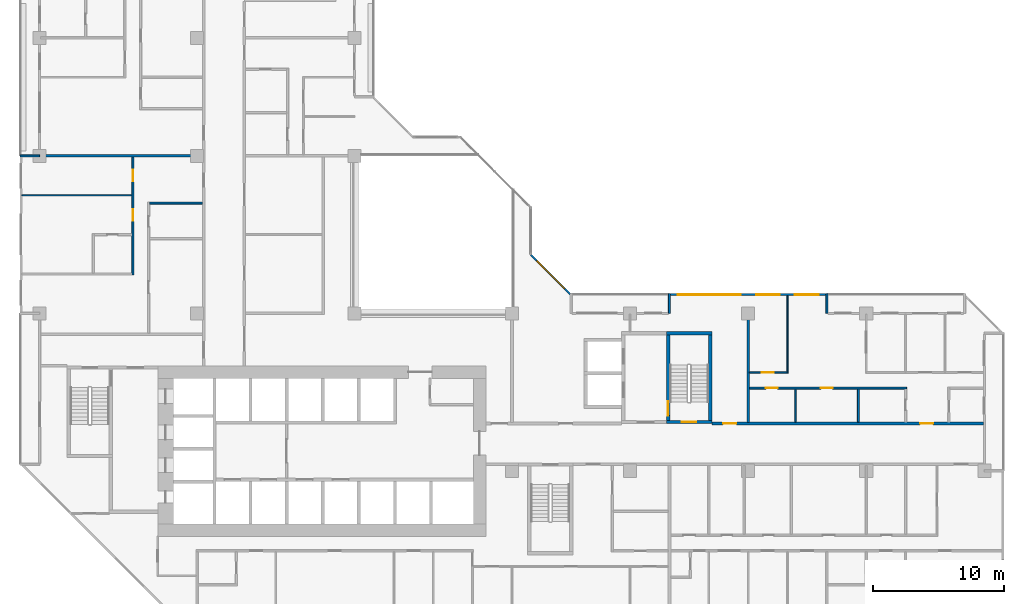
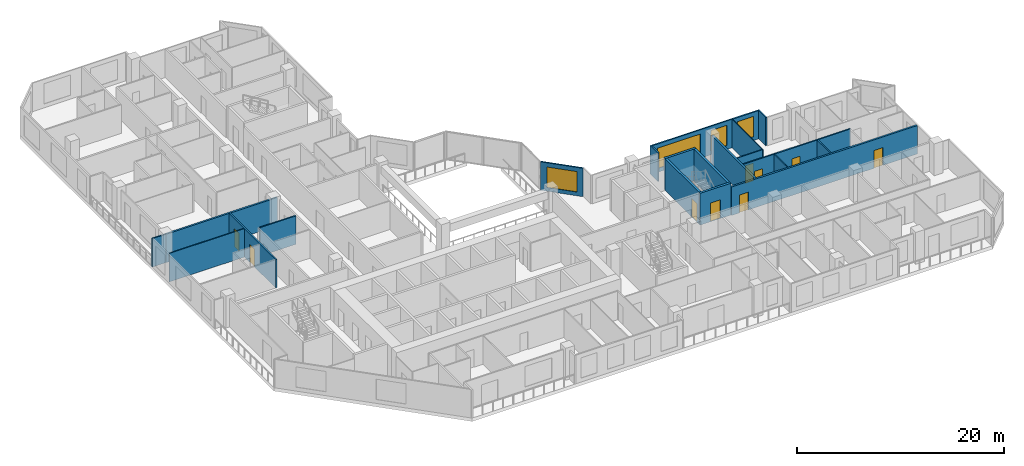
# One storey, part 8 of 15: 20 walls, 9 doors, 4 windows, 13 openings.
"""IFC4 building model written with IfcOpenShell, lengths in metres."""

from ifc_helpers import new_model, si_unit, direction, frame, frame_2d, origin, place, context, subcontext, project, spatial, rectangle, extrude, material, layer, layer_set, type_object, element, fill, save


model = new_model("IFC4")

# Units and contexts
model_context = context("Model", 3, precision=1e-05, world=origin(), true_north=direction((0.0, 1.0)))
body_context = subcontext(model_context, "Body", "Model", "MODEL_VIEW")
ifc_project = project(units=[si_unit("LENGTHUNIT", "METRE"), si_unit("AREAUNIT", "SQUARE_METRE"), si_unit("VOLUMEUNIT", "CUBIC_METRE"), si_unit("PLANEANGLEUNIT", "RADIAN"), si_unit("MASSUNIT", "GRAM", prefix="KILO")], contexts=[model_context])

# Site, building, storey
site_placement = place(None, origin())
site = spatial("IfcSite", under=ifc_project, at=site_placement, CompositionType="ELEMENT")
building_placement = place(site_placement, origin())
building = spatial("IfcBuilding", under=site, at=building_placement, Name="Chenar Terraces", CompositionType="ELEMENT")
storey_placement = place(building_placement, frame((0.0, 0.0, 133.14990234375)))
storey = spatial("IfcBuildingStorey", under=building, at=storey_placement, Name="L31", CompositionType="ELEMENT", Elevation=133.14990234375)

# Wall, opening, door
ifc_material_1 = material(Name="Concrete C70/85", Category="concrete")
ifc_layer_1 = layer(ifc_material_1, 0.25)
ifc_layer_set_1 = layer_set([ifc_layer_1], Name="Concrete C70/85")
wall_type_1 = type_object("IfcWallType", Name="Core wall 250 Concrete C70/85", PredefinedType="SHEAR", material=ifc_layer_set_1)
wall_1_placement = place(storey_placement, frame((47.77490234375, 15.72509765625, 0.0), z_axis=(0.0, 0.0, 1.0), x_axis=(1.0, 0.0, 0.0)))
wall_1 = element("IfcWall", 1, at=wall_1_placement, inside=storey, type_object=wall_type_1, Name="Core wall ST3_S L31", PredefinedType="SHEAR", context=body_context, shape_type="SweptSolid", body=[
    extrude(rectangle(XDim=3.4501953125, YDim=0.25, at=frame_2d((1.72509765625, 0.0))), origin(), (0.0, 0.0, 1.0), 3.75),
])
opening_1_placement = place(wall_1_placement, frame((1.175048828125, 0.0, 0.0)))
opening_1 = element("IfcOpeningElement", 2, at=opening_1_placement, cuts=wall_1, Name="Opening DL31-C8", PredefinedType="OPENING", context=body_context, shape_type="SweptSolid", body=[
    extrude(rectangle(XDim=1.10009765625, YDim=2.199951171875, at=frame_2d((0.550048828125, 1.10009765625))), frame((0.0, 0.135009765625, 0.0), z_axis=(0.0, -1.0, 0.0), x_axis=(1.0, 0.0, 0.0)), (0.0, 0.0, 1.0), 0.27001953125),
])
ifc_material_2 = material(Name="Steel-framed fire-resisting door leaf", Category="steel")
door_type_1 = type_object("IfcDoorType", Name="Stair fire door FD60 1100 x 2200", OperationType="SINGLE_SWING_LEFT", PredefinedType="DOOR", material=ifc_material_2)
door_1_placement = place(opening_1_placement, frame((1.10009765625, 0.0, 0.0), z_axis=(0.0, 0.0, 1.0), x_axis=(-1.0, 0.0, 0.0)))
door_1 = element("IfcDoor", 3, at=door_1_placement, inside=storey, type_object=door_type_1, Name="Stair door DL31-C8", OperationType="SINGLE_SWING_LEFT", OverallHeight=2.199951171875, OverallWidth=1.10009765625, PredefinedType="DOOR", context=body_context, shape_type="SweptSolid", body=[
    extrude(rectangle(XDim=1.10009765625, YDim=2.199951171875, at=frame_2d((0.550048828125, 1.10009765625))), frame((0.0, 0.02490234375, 0.0), z_axis=(0.0, -1.0, 0.0), x_axis=(1.0, 0.0, 0.0)), (0.0, 0.0, 1.0), 0.050048828125),
])
fill(opening_1, door_1)

# Wall
wall_2_placement = place(storey_placement, frame((47.77490234375, 22.47509765625, 0.0), z_axis=(0.0, 0.0, 1.0), x_axis=(1.0, 0.0, 0.0)))
element("IfcWall", 4, at=wall_2_placement, inside=storey, type_object=wall_type_1, Name="Core wall ST3_N L31", PredefinedType="SHEAR", context=body_context, shape_type="SweptSolid", body=[
    extrude(rectangle(XDim=3.4501953125, YDim=0.25, at=frame_2d((1.72509765625, 0.0))), origin(), (0.0, 0.0, 1.0), 3.75),
])

# Wall, opening, door
wall_3_placement = place(storey_placement, frame((47.89990234375, 15.85009765625, 0.0), z_axis=(0.0, 0.0, 1.0), x_axis=(0.0, 1.0, 0.0)))
wall_3 = element("IfcWall", 5, at=wall_3_placement, inside=storey, type_object=wall_type_1, Name="Core wall ST3_W L31", PredefinedType="SHEAR", context=body_context, shape_type="SweptSolid", body=[
    extrude(rectangle(XDim=6.5, YDim=0.25, at=frame_2d((3.25, 0.0))), origin(), (0.0, 0.0, 1.0), 3.75),
])
opening_2_placement = place(wall_3_placement, frame((0.35009765625, 0.0, 0.0)))
opening_2 = element("IfcOpeningElement", 6, at=opening_2_placement, cuts=wall_3, Name="Opening DL31-C11", PredefinedType="OPENING", context=body_context, shape_type="SweptSolid", body=[
    extrude(rectangle(XDim=1.10009765625, YDim=2.199951171875, at=frame_2d((0.550048828125, 1.10009765625))), frame((0.0, 0.135009765625, 0.0), z_axis=(0.0, -1.0, 0.0), x_axis=(1.0, 0.0, 0.0)), (0.0, 0.0, 1.0), 0.27001953125),
])
door_2_placement = place(opening_2_placement, frame((1.10009765625, 0.0, 0.0), z_axis=(0.0, 0.0, 1.0), x_axis=(-1.0, 0.0, 0.0)))
door_2 = element("IfcDoor", 7, at=door_2_placement, inside=storey, type_object=door_type_1, Name="Stair door DL31-C11", OperationType="SINGLE_SWING_RIGHT", OverallHeight=2.199951171875, OverallWidth=1.10009765625, PredefinedType="DOOR", context=body_context, shape_type="SweptSolid", body=[
    extrude(rectangle(XDim=1.10009765625, YDim=2.199951171875, at=frame_2d((0.550048828125, 1.10009765625))), frame((0.0, 0.02490234375, 0.0), z_axis=(0.0, -1.0, 0.0), x_axis=(1.0, 0.0, 0.0)), (0.0, 0.0, 1.0), 0.050048828125),
])
fill(opening_2, door_2)

# Wall
wall_4_placement = place(storey_placement, frame((51.10009765625, 15.85009765625, 0.0), z_axis=(0.0, 0.0, 1.0), x_axis=(0.0, 1.0, 0.0)))
element("IfcWall", 8, at=wall_4_placement, inside=storey, type_object=wall_type_1, Name="Core wall ST3_E L31", PredefinedType="SHEAR", context=body_context, shape_type="SweptSolid", body=[
    extrude(rectangle(XDim=6.5, YDim=0.25, at=frame_2d((3.25, 0.0))), origin(), (0.0, 0.0, 1.0), 3.75),
])

# Wall, openings, doors
ifc_material_3 = material(Name="Gypsum board on steel studs with fire boards", Category="steel")
ifc_layer_2 = layer(ifc_material_3, 0.199951171875)
ifc_layer_set_2 = layer_set([ifc_layer_2], Name="Gypsum board on steel studs with fire boards")
wall_type_2 = type_object("IfcWallType", Name="Corridor wall 200", PredefinedType="PARTITIONING", material=ifc_layer_set_2)
wall_5_placement = place(storey_placement, frame((51.22509765625, 15.60009765625, 0.0), z_axis=(0.0, 0.0, 1.0), x_axis=(1.0, 0.0, 0.0)))
wall_5 = element("IfcWall", 9, at=wall_5_placement, inside=storey, type_object=wall_type_2, Name="Partition L31-079", PredefinedType="PARTITIONING", context=body_context, shape_type="SweptSolid", body=[
    extrude(rectangle(XDim=20.700927734375, YDim=0.199951171875, at=frame_2d((10.3505859375, 0.0))), origin(), (0.0, 0.0, 1.0), 3.35009765625),
])
opening_3_placement = place(wall_5_placement, frame((15.875, 0.0, 0.0)))
opening_3 = element("IfcOpeningElement", 10, at=opening_3_placement, cuts=wall_5, Name="Opening DL31-9", PredefinedType="OPENING", context=body_context, shape_type="SweptSolid", body=[
    extrude(rectangle(XDim=1.0, YDim=2.10009765625, at=frame_2d((0.5, 1.050048828125))), frame((0.0, 0.10986328125, 0.0), z_axis=(0.0, -1.0, 0.0), x_axis=(1.0, 0.0, 0.0)), (0.0, 0.0, 1.0), 0.219970703125),
])
opening_4_placement = place(wall_5_placement, frame((0.875, 0.0, 0.0)))
opening_4 = element("IfcOpeningElement", 11, at=opening_4_placement, cuts=wall_5, Name="Opening DL31-53", PredefinedType="OPENING", context=body_context, shape_type="SweptSolid", body=[
    extrude(rectangle(XDim=1.0, YDim=2.10009765625, at=frame_2d((0.5, 1.050048828125))), frame((0.0, 0.10986328125, 0.0), z_axis=(0.0, -1.0, 0.0), x_axis=(1.0, 0.0, 0.0)), (0.0, 0.0, 1.0), 0.219970703125),
])
ifc_material_4 = material(Name="Steel-framed fire-resisting door leaf", Category="steel")
door_type_2 = type_object("IfcDoorType", Name="Fire door FD30S 1000 x 2100", OperationType="SINGLE_SWING_LEFT", PredefinedType="DOOR", material=ifc_material_4)
door_3_placement = place(opening_3_placement, origin())
door_3 = element("IfcDoor", 12, at=door_3_placement, inside=storey, type_object=door_type_2, Name="Door DL31-9", OperationType="SINGLE_SWING_LEFT", OverallHeight=2.10009765625, OverallWidth=1.0, PredefinedType="DOOR", context=body_context, shape_type="SweptSolid", body=[
    extrude(rectangle(XDim=1.0, YDim=2.10009765625, at=frame_2d((0.5, 1.050048828125))), frame((0.0, 0.02490234375, 0.0), z_axis=(0.0, -1.0, 0.0), x_axis=(1.0, 0.0, 0.0)), (0.0, 0.0, 1.0), 0.050048828125),
])
fill(opening_3, door_3)
door_4_placement = place(opening_4_placement, origin())
door_4 = element("IfcDoor", 13, at=door_4_placement, inside=storey, type_object=door_type_2, Name="Door DL31-53", OperationType="SINGLE_SWING_RIGHT", OverallHeight=2.10009765625, OverallWidth=1.0, PredefinedType="DOOR", context=body_context, shape_type="SweptSolid", body=[
    extrude(rectangle(XDim=1.0, YDim=2.10009765625, at=frame_2d((0.5, 1.050048828125))), frame((0.0, 0.02490234375, 0.0), z_axis=(0.0, -1.0, 0.0), x_axis=(1.0, 0.0, 0.0)), (0.0, 0.0, 1.0), 0.050048828125),
])
fill(opening_4, door_4)

# Wall, openings, windows
ifc_material_5 = material(Name="Aluminium framed glazing", Category="aluminium")
ifc_layer_3 = layer(ifc_material_5, 0.14990234375)
ifc_layer_set_3 = layer_set([ifc_layer_3], Name="Aluminium framed glazing")
wall_type_3 = type_object("IfcWallType", Name="Glazed flush facade wall 150", PredefinedType="SOLIDWALL", material=ifc_layer_set_3)
wall_6_placement = place(storey_placement, frame((59.925048828125, 25.425048828125, 0.0), z_axis=(0.0, 0.0, 1.0), x_axis=(-1.0, 0.0, 0.0)))
wall_6 = element("IfcWall", 14, at=wall_6_placement, inside=storey, type_object=wall_type_3, Name="Glazed flush facade wall", PredefinedType="SOLIDWALL", context=body_context, shape_type="SweptSolid", body=[
    extrude(rectangle(XDim=11.85009765625, YDim=0.14990234375, at=frame_2d((5.925048828125, 0.0))), origin(), (0.0, 0.0, 1.0), 3.35009765625),
])
opening_5_placement = place(wall_6_placement, frame((0.5625, 0.0, 0.449951171875)))
opening_5 = element("IfcOpeningElement", 15, at=opening_5_placement, cuts=wall_6, Name="Opening W180x240", PredefinedType="OPENING", context=body_context, shape_type="SweptSolid", body=[
    extrude(rectangle(XDim=1.800048828125, YDim=2.39990234375, at=frame_2d((0.89990234375, 1.199951171875))), frame((0.0, 0.0849609375, 0.0), z_axis=(0.0, -1.0, 0.0), x_axis=(1.0, 0.0, 0.0)), (0.0, 0.0, 1.0), 0.169921875),
])
opening_6_placement = place(wall_6_placement, frame((3.52490234375, 0.0, 0.449951171875)))
opening_6 = element("IfcOpeningElement", 16, at=opening_6_placement, cuts=wall_6, Name="Opening W180x240", PredefinedType="OPENING", context=body_context, shape_type="SweptSolid", body=[
    extrude(rectangle(XDim=1.800048828125, YDim=2.39990234375, at=frame_2d((0.89990234375, 1.199951171875))), frame((0.0, 0.0849609375, 0.0), z_axis=(0.0, -1.0, 0.0), x_axis=(1.0, 0.0, 0.0)), (0.0, 0.0, 1.0), 0.169921875),
])
opening_7_placement = place(wall_6_placement, frame((6.487548828125, 0.0, 0.449951171875)))
opening_7 = element("IfcOpeningElement", 17, at=opening_7_placement, cuts=wall_6, Name="Opening W480x240", PredefinedType="OPENING", context=body_context, shape_type="SweptSolid", body=[
    extrude(rectangle(XDim=4.800048828125, YDim=2.39990234375, at=frame_2d((2.39990234375, 1.199951171875))), frame((0.0, 0.0849609375, 0.0), z_axis=(0.0, -1.0, 0.0), x_axis=(1.0, 0.0, 0.0)), (0.0, 0.0, 1.0), 0.169921875),
])
ifc_material_6 = material(Name="Low emissivity double glazing, aluminium frame", Category="aluminium")
window_type_1 = type_object("IfcWindowType", Name="Fixed light 1800 x 2400", PartitioningType="SINGLE_PANEL", PredefinedType="WINDOW", material=ifc_material_6)
window_1_placement = place(opening_5_placement, origin())
window_1 = element("IfcWindow", 18, at=window_1_placement, inside=storey, type_object=window_type_1, Name="Window", OverallHeight=2.39990234375, OverallWidth=1.800048828125, PartitioningType="SINGLE_PANEL", PredefinedType="WINDOW", context=body_context, shape_type="SweptSolid", body=[
    extrude(rectangle(XDim=1.800048828125, YDim=2.39990234375, at=frame_2d((0.89990234375, 1.199951171875))), frame((0.0, 0.030029296875, 0.0), z_axis=(0.0, -1.0, 0.0), x_axis=(1.0, 0.0, 0.0)), (0.0, 0.0, 1.0), 0.06005859375),
])
fill(opening_5, window_1)
window_2_placement = place(opening_6_placement, origin())
window_2 = element("IfcWindow", 19, at=window_2_placement, inside=storey, type_object=window_type_1, Name="Window", OverallHeight=2.39990234375, OverallWidth=1.800048828125, PartitioningType="SINGLE_PANEL", PredefinedType="WINDOW", context=body_context, shape_type="SweptSolid", body=[
    extrude(rectangle(XDim=1.800048828125, YDim=2.39990234375, at=frame_2d((0.89990234375, 1.199951171875))), frame((0.0, 0.030029296875, 0.0), z_axis=(0.0, -1.0, 0.0), x_axis=(1.0, 0.0, 0.0)), (0.0, 0.0, 1.0), 0.06005859375),
])
fill(opening_6, window_2)
ifc_material_7 = material(Name="Low emissivity double glazing, aluminium frame", Category="aluminium")
window_type_2 = type_object("IfcWindowType", Name="Fixed light 4800 x 2400", PartitioningType="SINGLE_PANEL", PredefinedType="WINDOW", material=ifc_material_7)
window_3_placement = place(opening_7_placement, origin())
window_3 = element("IfcWindow", 20, at=window_3_placement, inside=storey, type_object=window_type_2, Name="Window", OverallHeight=2.39990234375, OverallWidth=4.800048828125, PartitioningType="SINGLE_PANEL", PredefinedType="WINDOW", context=body_context, shape_type="SweptSolid", body=[
    extrude(rectangle(XDim=4.800048828125, YDim=2.39990234375, at=frame_2d((2.39990234375, 1.199951171875))), frame((0.0, 0.030029296875, 0.0), z_axis=(0.0, -1.0, 0.0), x_axis=(1.0, 0.0, 0.0)), (0.0, 0.0, 1.0), 0.06005859375),
])
fill(opening_7, window_3)

# Wall
ifc_material_8 = material(Name="Gypsum board on steel studs", Category="steel")
ifc_layer_4 = layer(ifc_material_8, 0.10009765625)
ifc_layer_set_4 = layer_set([ifc_layer_4], Name="Gypsum board on steel studs")
wall_type_4 = type_object("IfcWallType", Name="Gypsum partition 100", PredefinedType="PARTITIONING", material=ifc_layer_set_4)
wall_7_placement = place(storey_placement, frame((-1.35107421875, 33.0, 0.0), z_axis=(0.0, 0.0, 1.0), x_axis=(1.0, 0.0, 0.0)))
element("IfcWall", 21, at=wall_7_placement, inside=storey, type_object=wall_type_4, Name="Partition L31-001", PredefinedType="PARTITIONING", context=body_context, shape_type="SweptSolid", body=[
    extrude(rectangle(XDim=8.3759765625, YDim=0.10009765625, at=frame_2d((4.18798828125, 0.0))), origin(), (0.0, 0.0, 1.0), 3.35009765625),
])

# Wall, opening, door
wall_8_placement = place(storey_placement, frame((54.10009765625, 19.5, 0.0), z_axis=(0.0, 0.0, 1.0), x_axis=(1.0, 0.0, 0.0)))
wall_8 = element("IfcWall", 22, at=wall_8_placement, inside=storey, type_object=wall_type_4, Name="Partition L31-084", PredefinedType="PARTITIONING", context=body_context, shape_type="SweptSolid", body=[
    extrude(rectangle(XDim=2.849853515625, YDim=0.10009765625, at=frame_2d((1.4248046875, 0.0))), origin(), (0.0, 0.0, 1.0), 3.35009765625),
])
opening_8_placement = place(wall_8_placement, frame((0.949951171875, 0.0, 0.0)))
opening_8 = element("IfcOpeningElement", 23, at=opening_8_placement, cuts=wall_8, Name="Opening DL31-12", PredefinedType="OPENING", context=body_context, shape_type="SweptSolid", body=[
    extrude(rectangle(XDim=0.89990234375, YDim=2.10009765625, at=frame_2d((0.449951171875, 1.050048828125))), frame((0.0, 0.06005859375, 0.0), z_axis=(0.0, -1.0, 0.0), x_axis=(1.0, 0.0, 0.0)), (0.0, 0.0, 1.0), 0.1201171875),
])
ifc_material_9 = material(Name="Veneered timber door leaf", Category="wood")
door_type_3 = type_object("IfcDoorType", Name="Door 900 x 2100", OperationType="SINGLE_SWING_LEFT", PredefinedType="DOOR", material=ifc_material_9)
door_5_placement = place(opening_8_placement, origin())
door_5 = element("IfcDoor", 24, at=door_5_placement, inside=storey, type_object=door_type_3, Name="Door DL31-12", OperationType="SINGLE_SWING_RIGHT", OverallHeight=2.10009765625, OverallWidth=0.89990234375, PredefinedType="DOOR", context=body_context, shape_type="SweptSolid", body=[
    extrude(rectangle(XDim=0.89990234375, YDim=2.10009765625, at=frame_2d((0.449951171875, 1.050048828125))), frame((0.0, 0.02490234375, 0.0), z_axis=(0.0, -1.0, 0.0), x_axis=(1.0, 0.0, 0.0)), (0.0, 0.0, 1.0), 0.050048828125),
])
fill(opening_8, door_5)

# Walls
wall_9_placement = place(storey_placement, frame((57.0, 19.449951171875, 0.0), z_axis=(0.0, 0.0, 1.0), x_axis=(0.0, 1.0, 0.0)))
element("IfcWall", 25, at=wall_9_placement, inside=storey, type_object=wall_type_4, Name="Partition L31-086", PredefinedType="PARTITIONING", context=body_context, shape_type="SweptSolid", body=[
    extrude(rectangle(XDim=5.900146484375, YDim=0.10009765625, at=frame_2d((2.9501953125, 0.0))), origin(), (0.0, 0.0, 1.0), 3.35009765625),
])
wall_10_placement = place(storey_placement, frame((57.60009765625, 15.699951171875, 0.0), z_axis=(0.0, 0.0, 1.0), x_axis=(0.0, 1.0, 0.0)))
element("IfcWall", 26, at=wall_10_placement, inside=storey, type_object=wall_type_4, Name="Partition L31-088", PredefinedType="PARTITIONING", context=body_context, shape_type="SweptSolid", body=[
    extrude(rectangle(XDim=2.525146484375, YDim=0.10009765625, at=frame_2d((1.2626953125, 0.0))), origin(), (0.0, 0.0, 1.0), 3.35009765625),
])
ifc_material_10 = material(Name="Terracotta cladding on insulated backing", Category="masonry")
ifc_layer_5 = layer(ifc_material_10, 0.14990234375)
ifc_layer_set_5 = layer_set([ifc_layer_5], Name="Terracotta cladding on insulated backing")
wall_type_5 = type_object("IfcWallType", Name="Loggia return wall 150", PredefinedType="SOLIDWALL", material=ifc_layer_set_5)
for number, where, z_axis, x_axis, name in (
    (27, (60.0, 25.5, 0.0), (0.0, 0.0, 1.0), (0.0, -1.0, 0.0), "Loggia return wall"),
    (28, (48.0, 25.5, 0.0), (0.0, 0.0, 1.0), (0.0, -1.0, 0.0), "Loggia return wall"),
    (29, (-1.5, 36.0, 0.0), (0.0, 0.0, 1.0), (1.0, 0.0, 0.0), "Loggia return wall"),
):
    element("IfcWall", number, at=place(storey_placement, frame(where, z_axis=z_axis, x_axis=x_axis)), inside=storey, type_object=wall_type_5, Name=name, PredefinedType="SOLIDWALL", context=body_context, shape_type="SweptSolid", body=[
        extrude(rectangle(XDim=1.5, YDim=0.14990234375, at=frame_2d((0.75, 0.0))), origin(), (0.0, 0.0, 1.0), 3.35009765625),
    ])

# Wall, opening, window
ifc_material_11 = material(Name="Terracotta cladding on insulated backing", Category="masonry")
ifc_layer_6 = layer(ifc_material_11, 0.14990234375)
ifc_layer_set_6 = layer_set([ifc_layer_6], Name="Terracotta cladding on insulated backing")
wall_type_6 = type_object("IfcWallType", Name="Terracotta rainscreen wall 150", PredefinedType="SOLIDWALL", material=ifc_layer_set_6)
wall_11_placement = place(storey_placement, frame((40.447021484375, 25.447021484375, 0.0), z_axis=(0.0, 0.0, 1.0), x_axis=(-0.707106781187, 0.707106781187, 0.0)))
wall_11 = element("IfcWall", 30, at=wall_11_placement, inside=storey, type_object=wall_type_6, Name="Terracotta rainscreen wall", PredefinedType="SOLIDWALL", context=body_context, shape_type="SweptSolid", body=[
    extrude(rectangle(XDim=4.24267578125, YDim=0.14990234375, at=frame_2d((2.121337890625, 0.0))), origin(), (0.0, 0.0, 1.0), 3.35009765625),
])
opening_9_placement = place(wall_11_placement, frame((0.621337890625, 0.0, 0.449951171875)))
opening_9 = element("IfcOpeningElement", 31, at=opening_9_placement, cuts=wall_11, Name="Opening W300x240", PredefinedType="OPENING", context=body_context, shape_type="SweptSolid", body=[
    extrude(rectangle(XDim=3.0, YDim=2.39990234375, at=frame_2d((1.5, 1.199951171875))), frame((0.0, 0.0849609375, 0.0), z_axis=(0.0, -1.0, 0.0), x_axis=(1.0, 0.0, 0.0)), (0.0, 0.0, 1.0), 0.169921875),
])
ifc_material_12 = material(Name="Low emissivity double glazing, aluminium frame", Category="aluminium")
window_type_3 = type_object("IfcWindowType", Name="Fixed light 3000 x 2400", PartitioningType="SINGLE_PANEL", PredefinedType="WINDOW", material=ifc_material_12)
window_4_placement = place(opening_9_placement, origin())
window_4 = element("IfcWindow", 32, at=window_4_placement, inside=storey, type_object=window_type_3, Name="Window", OverallHeight=2.39990234375, OverallWidth=3.0, PartitioningType="SINGLE_PANEL", PredefinedType="WINDOW", context=body_context, shape_type="SweptSolid", body=[
    extrude(rectangle(XDim=3.0, YDim=2.39990234375, at=frame_2d((1.5, 1.199951171875))), frame((0.0, 0.030029296875, 0.0), z_axis=(0.0, -1.0, 0.0), x_axis=(1.0, 0.0, 0.0)), (0.0, 0.0, 1.0), 0.06005859375),
])
fill(opening_9, window_4)

# Walls
ifc_material_13 = material(Name="Twin gypsum board on steel studs with mineral wool", Category="steel")
ifc_layer_7 = layer(ifc_material_13, 0.199951171875)
ifc_layer_set_7 = layer_set([ifc_layer_7], Name="Twin gypsum board on steel studs with mineral wool")
wall_type_7 = type_object("IfcWallType", Name="Unit demising wall 200", PredefinedType="PARTITIONING", material=ifc_layer_set_7)
wall_12_placement = place(storey_placement, frame((0.0, 36.0, 0.0), z_axis=(0.0, 0.0, 1.0), x_axis=(1.0, 0.0, 0.0)))
element("IfcWall", 33, at=wall_12_placement, inside=storey, type_object=wall_type_7, Name="Partition L31-003", PredefinedType="PARTITIONING", context=body_context, shape_type="SweptSolid", body=[
    extrude(rectangle(XDim=12.39990234375, YDim=0.199951171875, at=frame_2d((6.199951171875, 0.0))), origin(), (0.0, 0.0, 1.0), 3.35009765625),
])
wall_13_placement = place(storey_placement, frame((54.0, 15.699951171875, 0.0), z_axis=(0.0, 0.0, 1.0), x_axis=(0.0, 1.0, 0.0)))
element("IfcWall", 34, at=wall_13_placement, inside=storey, type_object=wall_type_7, Name="Partition L31-082", PredefinedType="PARTITIONING", context=body_context, shape_type="SweptSolid", body=[
    extrude(rectangle(XDim=8.300048828125, YDim=0.199951171875, at=frame_2d((4.14990234375, 0.0))), origin(), (0.0, 0.0, 1.0), 3.35009765625),
])

# Wall, openings, doors
ifc_material_14 = material(Name="Moisture-resistant gypsum board on steel studs", Category="steel")
ifc_layer_8 = layer(ifc_material_14, 0.14990234375)
ifc_layer_set_8 = layer_set([ifc_layer_8], Name="Moisture-resistant gypsum board on steel studs")
wall_type_8 = type_object("IfcWallType", Name="Wet-room partition 150", PredefinedType="PARTITIONING", material=ifc_layer_set_8)
wall_14_placement = place(storey_placement, frame((7.10009765625, 26.925048828125, 0.0), z_axis=(0.0, 0.0, 1.0), x_axis=(0.0, 1.0, 0.0)))
wall_14 = element("IfcWall", 35, at=wall_14_placement, inside=storey, type_object=wall_type_8, Name="Partition L31-018", PredefinedType="PARTITIONING", context=body_context, shape_type="SweptSolid", body=[
    extrude(rectangle(XDim=8.974853515625, YDim=0.14990234375, at=frame_2d((4.4873046875, 0.0))), origin(), (0.0, 0.0, 1.0), 3.35009765625),
])
opening_10_placement = place(wall_14_placement, frame((7.125, 0.0, 0.0)))
opening_10 = element("IfcOpeningElement", 36, at=opening_10_placement, cuts=wall_14, Name="Opening DL31-69", PredefinedType="OPENING", context=body_context, shape_type="SweptSolid", body=[
    extrude(rectangle(XDim=0.89990234375, YDim=2.10009765625, at=frame_2d((0.449951171875, 1.050048828125))), frame((0.0, 0.0849609375, 0.0), z_axis=(0.0, -1.0, 0.0), x_axis=(1.0, 0.0, 0.0)), (0.0, 0.0, 1.0), 0.169921875),
])
opening_11_placement = place(wall_14_placement, frame((4.125, 0.0, 0.0)))
opening_11 = element("IfcOpeningElement", 37, at=opening_11_placement, cuts=wall_14, Name="Opening DL31-70", PredefinedType="OPENING", context=body_context, shape_type="SweptSolid", body=[
    extrude(rectangle(XDim=0.89990234375, YDim=2.10009765625, at=frame_2d((0.449951171875, 1.050048828125))), frame((0.0, 0.0849609375, 0.0), z_axis=(0.0, -1.0, 0.0), x_axis=(1.0, 0.0, 0.0)), (0.0, 0.0, 1.0), 0.169921875),
])
door_6_placement = place(opening_10_placement, origin())
door_6 = element("IfcDoor", 38, at=door_6_placement, inside=storey, type_object=door_type_3, Name="Door DL31-69", OperationType="SINGLE_SWING_RIGHT", OverallHeight=2.10009765625, OverallWidth=0.89990234375, PredefinedType="DOOR", context=body_context, shape_type="SweptSolid", body=[
    extrude(rectangle(XDim=0.89990234375, YDim=2.10009765625, at=frame_2d((0.449951171875, 1.050048828125))), frame((0.0, 0.02490234375, 0.0), z_axis=(0.0, -1.0, 0.0), x_axis=(1.0, 0.0, 0.0)), (0.0, 0.0, 1.0), 0.050048828125),
])
fill(opening_10, door_6)
door_7_placement = place(opening_11_placement, origin())
door_7 = element("IfcDoor", 39, at=door_7_placement, inside=storey, type_object=door_type_3, Name="Door DL31-70", OperationType="SINGLE_SWING_LEFT", OverallHeight=2.10009765625, OverallWidth=0.89990234375, PredefinedType="DOOR", context=body_context, shape_type="SweptSolid", body=[
    extrude(rectangle(XDim=0.89990234375, YDim=2.10009765625, at=frame_2d((0.449951171875, 1.050048828125))), frame((0.0, 0.02490234375, 0.0), z_axis=(0.0, -1.0, 0.0), x_axis=(1.0, 0.0, 0.0)), (0.0, 0.0, 1.0), 0.050048828125),
])
fill(opening_11, door_7)

# Wall
wall_15_placement = place(storey_placement, frame((8.375, 32.39990234375, 0.0), z_axis=(0.0, 0.0, 1.0), x_axis=(1.0, 0.0, 0.0)))
element("IfcWall", 40, at=wall_15_placement, inside=storey, type_object=wall_type_8, Name="Partition L31-027", PredefinedType="PARTITIONING", context=body_context, shape_type="SweptSolid", body=[
    extrude(rectangle(XDim=4.02490234375, YDim=0.14990234375, at=frame_2d((2.012451171875, 0.0))), origin(), (0.0, 0.0, 1.0), 3.35009765625),
])

# Wall, openings, doors
wall_16_placement = place(storey_placement, frame((54.10009765625, 18.300048828125, 0.0), z_axis=(0.0, 0.0, 1.0), x_axis=(1.0, 0.0, 0.0)))
wall_16 = element("IfcWall", 41, at=wall_16_placement, inside=storey, type_object=wall_type_8, Name="Partition L31-083", PredefinedType="PARTITIONING", context=body_context, shape_type="SweptSolid", body=[
    extrude(rectangle(XDim=11.974853515625, YDim=0.14990234375, at=frame_2d((5.9873046875, 0.0))), origin(), (0.0, 0.0, 1.0), 3.35009765625),
])
opening_12_placement = place(wall_16_placement, frame((5.449951171875, 0.0, 0.0)))
opening_12 = element("IfcOpeningElement", 42, at=opening_12_placement, cuts=wall_16, Name="Opening DL31-7", PredefinedType="OPENING", context=body_context, shape_type="SweptSolid", body=[
    extrude(rectangle(XDim=0.89990234375, YDim=2.10009765625, at=frame_2d((0.449951171875, 1.050048828125))), frame((0.0, 0.0849609375, 0.0), z_axis=(0.0, -1.0, 0.0), x_axis=(1.0, 0.0, 0.0)), (0.0, 0.0, 1.0), 0.169921875),
])
opening_13_placement = place(wall_16_placement, frame((1.25, 0.0, 0.0)))
opening_13 = element("IfcOpeningElement", 43, at=opening_13_placement, cuts=wall_16, Name="Opening DL31-11", PredefinedType="OPENING", context=body_context, shape_type="SweptSolid", body=[
    extrude(rectangle(XDim=0.89990234375, YDim=2.10009765625, at=frame_2d((0.449951171875, 1.050048828125))), frame((0.0, 0.0849609375, 0.0), z_axis=(0.0, -1.0, 0.0), x_axis=(1.0, 0.0, 0.0)), (0.0, 0.0, 1.0), 0.169921875),
])
door_8_placement = place(opening_12_placement, frame((0.89990234375, 0.0, 0.0), z_axis=(0.0, 0.0, 1.0), x_axis=(-1.0, 0.0, 0.0)))
door_8 = element("IfcDoor", 44, at=door_8_placement, inside=storey, type_object=door_type_3, Name="Door DL31-7", OperationType="SINGLE_SWING_LEFT", OverallHeight=2.10009765625, OverallWidth=0.89990234375, PredefinedType="DOOR", context=body_context, shape_type="SweptSolid", body=[
    extrude(rectangle(XDim=0.89990234375, YDim=2.10009765625, at=frame_2d((0.449951171875, 1.050048828125))), frame((0.0, 0.02490234375, 0.0), z_axis=(0.0, -1.0, 0.0), x_axis=(1.0, 0.0, 0.0)), (0.0, 0.0, 1.0), 0.050048828125),
])
fill(opening_12, door_8)
door_9_placement = place(opening_13_placement, frame((0.89990234375, 0.0, 0.0), z_axis=(0.0, 0.0, 1.0), x_axis=(-1.0, 0.0, 0.0)))
door_9 = element("IfcDoor", 45, at=door_9_placement, inside=storey, type_object=door_type_3, Name="Door DL31-11", OperationType="SINGLE_SWING_RIGHT", OverallHeight=2.10009765625, OverallWidth=0.89990234375, PredefinedType="DOOR", context=body_context, shape_type="SweptSolid", body=[
    extrude(rectangle(XDim=0.89990234375, YDim=2.10009765625, at=frame_2d((0.449951171875, 1.050048828125))), frame((0.0, 0.02490234375, 0.0), z_axis=(0.0, -1.0, 0.0), x_axis=(1.0, 0.0, 0.0)), (0.0, 0.0, 1.0), 0.050048828125),
])
fill(opening_13, door_9)

# Wall
wall_17_placement = place(storey_placement, frame((62.39990234375, 15.699951171875, 0.0), z_axis=(0.0, 0.0, 1.0), x_axis=(0.0, 1.0, 0.0)))
element("IfcWall", 46, at=wall_17_placement, inside=storey, type_object=wall_type_8, Name="Partition L31-091", PredefinedType="PARTITIONING", context=body_context, shape_type="SweptSolid", body=[
    extrude(rectangle(XDim=2.525146484375, YDim=0.14990234375, at=frame_2d((1.2626953125, 0.0))), origin(), (0.0, 0.0, 1.0), 3.35009765625),
])

save(model, "model.ifc")
